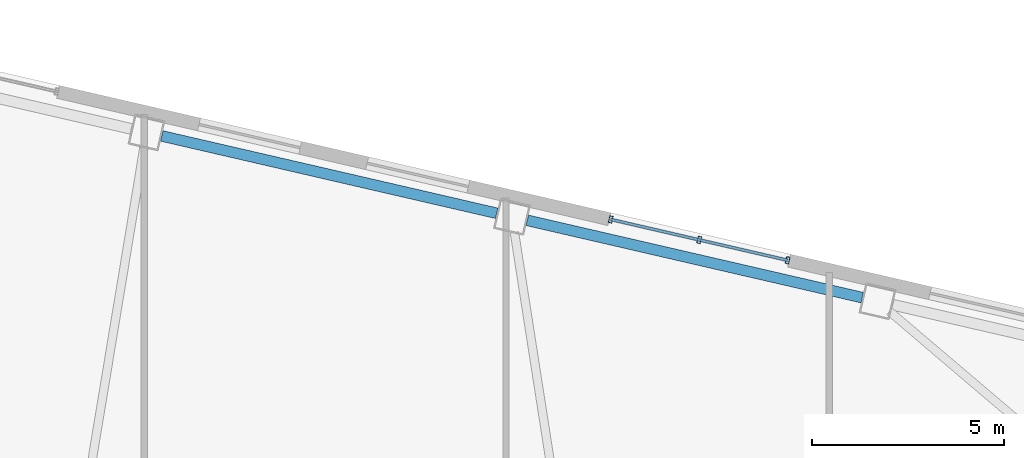
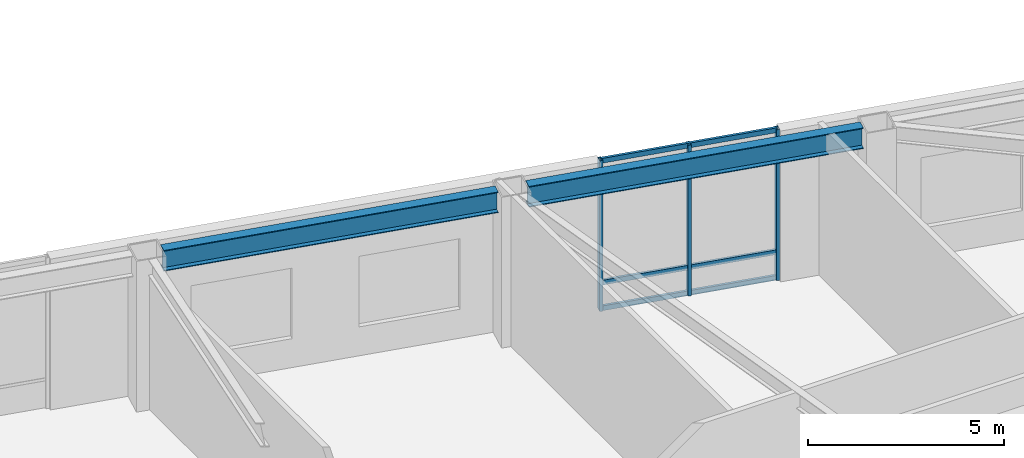
# One storey, part 7 of 20: 6 members, 2 beams, 1 element without a shape of its own.
"""IFC4 building model written with IfcOpenShell, lengths in metres."""

from ifc_helpers import new_model, si_unit, direction, frame, origin, origin_2d, place, context, subcontext, project, spatial, hollow_rectangle, i_section, extrude, material, layer, layer_set, material_profile, profile_set, type_object, element, aggregate, save


model = new_model("IFC4")

# Units and contexts
model_context = context("Model", 3, precision=1e-05, world=origin(), true_north=direction((0.0, 1.0)))
body_context = subcontext(model_context, "Body", "Model", "MODEL_VIEW")
ifc_project = project(units=[si_unit("LENGTHUNIT", "METRE"), si_unit("AREAUNIT", "SQUARE_METRE"), si_unit("VOLUMEUNIT", "CUBIC_METRE"), si_unit("PLANEANGLEUNIT", "RADIAN"), si_unit("MASSUNIT", "GRAM", prefix="KILO")], contexts=[model_context])

# Site, building, storey
site_placement = place(None, origin())
site = spatial("IfcSite", under=ifc_project, at=site_placement, CompositionType="ELEMENT")
building_placement = place(site_placement, origin())
building = spatial("IfcBuilding", under=site, at=building_placement, Name="Tavrogorsk Clinical Tower", CompositionType="ELEMENT")
storey_placement = place(building_placement, frame((0.0, 0.0, 18.39990234375)))
storey = spatial("IfcBuildingStorey", under=building, at=storey_placement, Name="L03", CompositionType="ELEMENT", Elevation=18.39990234375)

# Curtain wall, members
ifc_material_1 = material(Name="Anodised aluminium and triple IGU glazing", Category="aluminium")
ifc_layer = layer(ifc_material_1, 0.179931640625)
ifc_layer_set = layer_set([ifc_layer], Name="Anodised aluminium and triple IGU glazing")
curtain_wall_type = type_object("IfcCurtainWallType", Name="CW2_NorthSlot", PredefinedType="NOTDEFINED", material=ifc_layer_set)
curtain_wall_placement = place(storey_placement, origin())
curtain_wall = element("IfcCurtainWall", 1, at=curtain_wall_placement, inside=storey, type_object=curtain_wall_type, Name="L03 Curtain Wall CW-L03-N-SLOT-2", PredefinedType="NOTDEFINED")
ifc_material_2 = material(Name="Anodised aluminium alloy AW-6060", Category="aluminium")
ifc_material_profile_1 = material_profile(ifc_material_2, hollow_rectangle(XDim=0.090087890625, YDim=0.179931640625, WallThickness=0.00634765625, at=origin_2d()), Name="RHS-180x90x6.3")
ifc_profile_set_1 = profile_set([ifc_material_profile_1], Name="Anodised aluminium alloy AW-6060")
member_type_1 = type_object("IfcMemberType", Name="CwMullion_180x90", PredefinedType="MULLION", material=ifc_profile_set_1)
member_1_placement = place(storey_placement, frame((15.117919921875, 20.254638671875, 0.0), z_axis=(0.0, 0.0, 1.0), x_axis=(-0.974370046851, 0.224951132027, 0.0)))
member_1 = element("IfcMember", 2, at=member_1_placement, type_object=member_type_1, Name="CW-L03-N-SLOT-2 Mullion 1", PredefinedType="MULLION", context=body_context, shape_type="SweptSolid", body=[
    extrude(hollow_rectangle(XDim=0.090087890625, YDim=0.179931640625, WallThickness=0.00634765625, at=origin_2d()), origin(), (0.0, 0.0, 1.0), 4.7001953125),
])
member_2_placement = place(storey_placement, frame((12.8193359375, 20.78515625, 0.0), z_axis=(0.0, 0.0, 1.0), x_axis=(-0.974370046851, 0.224951132027, 0.0)))
member_2 = element("IfcMember", 3, at=member_2_placement, type_object=member_type_1, Name="CW-L03-N-SLOT-2 Mullion 2", PredefinedType="MULLION", context=body_context, shape_type="SweptSolid", body=[
    extrude(hollow_rectangle(XDim=0.090087890625, YDim=0.179931640625, WallThickness=0.00634765625, at=origin_2d()), origin(), (0.0, 0.0, 1.0), 4.7001953125),
])
member_3_placement = place(storey_placement, frame((10.520751953125, 21.31591796875, 0.0), z_axis=(0.0, 0.0, 1.0), x_axis=(-0.974370046851, 0.224951132027, 0.0)))
member_3 = element("IfcMember", 4, at=member_3_placement, type_object=member_type_1, Name="CW-L03-N-SLOT-2 Mullion 3", PredefinedType="MULLION", context=body_context, shape_type="SweptSolid", body=[
    extrude(hollow_rectangle(XDim=0.090087890625, YDim=0.179931640625, WallThickness=0.00634765625, at=origin_2d()), origin(), (0.0, 0.0, 1.0), 4.7001953125),
])
ifc_material_3 = material(Name="Anodised aluminium alloy AW-6060", Category="aluminium")
ifc_material_profile_2 = material_profile(ifc_material_3, hollow_rectangle(XDim=0.074951171875, YDim=0.14990234375, WallThickness=0.0048828125, at=origin_2d()), Name="RHS-150x75x5")
ifc_profile_set_2 = profile_set([ifc_material_profile_2], Name="Anodised aluminium alloy AW-6060")
member_type_2 = type_object("IfcMemberType", Name="CwTransom_150x75", PredefinedType="USERDEFINED", material=ifc_profile_set_2)
member_4_placement = place(storey_placement, frame((15.117919921875, 20.254638671875, 0.050048828125), z_axis=(-0.974372877948, 0.22493886885, 0.0), x_axis=(-0.22493886885, -0.974372877948, 0.0)))
member_4 = element("IfcMember", 5, at=member_4_placement, type_object=member_type_2, Name="CW-L03-N-SLOT-2 Transom 1", ObjectType="TRANSOM", PredefinedType="USERDEFINED", context=body_context, shape_type="SweptSolid", body=[
    extrude(hollow_rectangle(XDim=0.074951171875, YDim=0.14990234375, WallThickness=0.0048828125, at=origin_2d()), origin(), (0.0, 0.0, 1.0), 4.718017578125),
])
member_5_placement = place(storey_placement, frame((15.117919921875, 20.254638671875, 0.85009765625), z_axis=(-0.974372877948, 0.22493886885, 0.0), x_axis=(-0.22493886885, -0.974372877948, 0.0)))
member_5 = element("IfcMember", 6, at=member_5_placement, type_object=member_type_2, Name="CW-L03-N-SLOT-2 Transom 2", ObjectType="TRANSOM", PredefinedType="USERDEFINED", context=body_context, shape_type="SweptSolid", body=[
    extrude(hollow_rectangle(XDim=0.074951171875, YDim=0.14990234375, WallThickness=0.0048828125, at=origin_2d()), origin(), (0.0, 0.0, 1.0), 4.718017578125),
])
member_6_placement = place(storey_placement, frame((15.117919921875, 20.254638671875, 4.650146484375), z_axis=(-0.974372877948, 0.22493886885, 0.0), x_axis=(-0.22493886885, -0.974372877948, 0.0)))
member_6 = element("IfcMember", 7, at=member_6_placement, type_object=member_type_2, Name="CW-L03-N-SLOT-2 Transom 3", ObjectType="TRANSOM", PredefinedType="USERDEFINED", context=body_context, shape_type="SweptSolid", body=[
    extrude(hollow_rectangle(XDim=0.074951171875, YDim=0.14990234375, WallThickness=0.0048828125, at=origin_2d()), origin(), (0.0, 0.0, 1.0), 4.718017578125),
])
aggregate(curtain_wall, [member_1, member_2, member_3, member_4, member_5, member_6])

# Beams
ifc_material_4 = material(Name="Structural steel S390", Category="steel")
ifc_material_profile_3 = material_profile(ifc_material_4, i_section(OverallWidth=0.280029296875, OverallDepth=0.64990234375, WebThickness=0.01611328125, FlangeThickness=0.02490234375, at=origin_2d()), Name="B-650x280x16x25")
ifc_profile_set_3 = profile_set([ifc_material_profile_3], Name="Structural steel S390")
beam_type = type_object("IfcBeamType", Name="SpandrelBeam_B650", PredefinedType="SPANDREL", material=ifc_profile_set_3)
for number, where, z_axis, x_axis, name in (
    (8, (17.056396484375, 19.28369140625, 4.375), (-0.974372766602, 0.224939351168, 0.0), (-0.224939351168, -0.974372766602, 0.0), "L03 Perimeter Spandrel N3-N4"),
    (9, (7.5576171875, 21.4765625, 4.375), (-0.974366775889, 0.224965299645, 0.0), (-0.224965299645, -0.974366775889, 0.0), "L03 Perimeter Spandrel N4-N5"),
):
    element("IfcBeam", number, at=place(storey_placement, frame(where, z_axis=z_axis, x_axis=x_axis)), inside=storey, type_object=beam_type, Name=name, PredefinedType="SPANDREL", context=body_context, shape_type="SweptSolid", body=[
        extrude(i_section(OverallWidth=0.280029296875, OverallDepth=0.64990234375, WebThickness=0.01611328125, FlangeThickness=0.02490234375, at=origin_2d()), origin(), (0.0, 0.0, 1.0), 8.9326171875),
    ])

save(model, "model.ifc")
